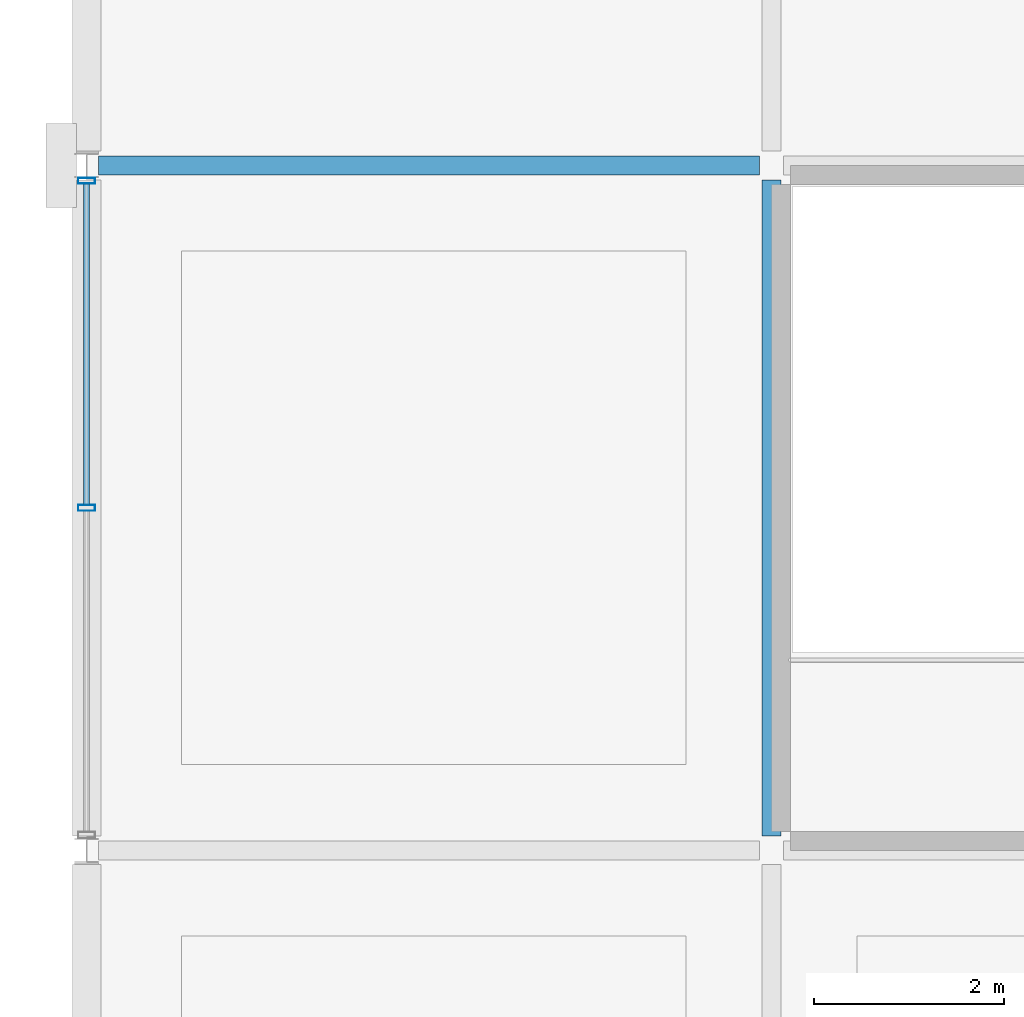
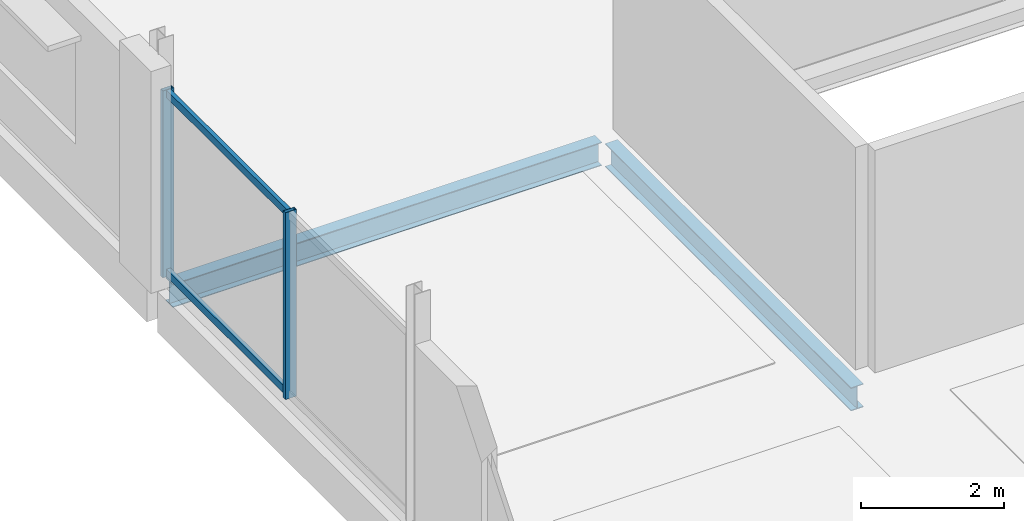
# One storey, part 15 of 107: 4 members, 2 beams, 1 element without a shape of its own.
"""IFC4 building model written with IfcOpenShell, lengths in metres."""

from ifc_helpers import new_model, si_unit, direction, frame, origin, origin_2d, place, context, subcontext, project, spatial, hollow_rectangle, i_section, extrude, material, layer, layer_set, material_profile, profile_set, type_object, element, aggregate, save


model = new_model("IFC4")

# Units and contexts
model_context = context("Model", 3, precision=1e-05, world=origin(), true_north=direction((0.0, 1.0)))
body_context = subcontext(model_context, "Body", "Model", "MODEL_VIEW")
ifc_project = project(units=[si_unit("LENGTHUNIT", "METRE"), si_unit("AREAUNIT", "SQUARE_METRE"), si_unit("VOLUMEUNIT", "CUBIC_METRE"), si_unit("PLANEANGLEUNIT", "RADIAN"), si_unit("MASSUNIT", "GRAM", prefix="KILO")], contexts=[model_context])

# Site, building, storey
site_placement = place(None, origin())
site = spatial("IfcSite", under=ifc_project, at=site_placement, CompositionType="ELEMENT")
building_placement = place(site_placement, origin())
building = spatial("IfcBuilding", under=site, at=building_placement, Name="Kangsadwip Square Police Headquarters", CompositionType="ELEMENT")
storey_placement = place(building_placement, frame((0.0, 0.0, 5.39990234375)))
storey = spatial("IfcBuildingStorey", under=building, at=storey_placement, Name="L01", CompositionType="ELEMENT", Elevation=5.39990234375)

# Curtain wall, members
ifc_material_1 = material(Name="Thermally broken anodised aluminium AW-6063-T6", Category="aluminium")
ifc_layer = layer(ifc_material_1, 0.159912109375)
ifc_layer_set = layer_set([ifc_layer], Name="Thermally broken anodised aluminium AW-6063-T6")
curtain_wall_type = type_object("IfcCurtainWallType", Name="UnitisedCw6944x3200", PredefinedType="NOTDEFINED", material=ifc_layer_set)
curtain_wall_placement = place(storey_placement, origin())
curtain_wall = element("IfcCurtainWall", 1, at=curtain_wall_placement, inside=storey, type_object=curtain_wall_type, Name="Curtain Wall CW-L01-0000-0073", PredefinedType="NOTDEFINED")
ifc_material_2 = material(Name="Thermally broken anodised aluminium AW-6063-T6", Category="aluminium")
ifc_material_profile_1 = material_profile(ifc_material_2, hollow_rectangle(XDim=0.06494140625, YDim=0.179931640625, WallThickness=0.00390625, at=origin_2d()), Name="CWM 180X65X4")
ifc_profile_set_1 = profile_set([ifc_material_profile_1], Name="Thermally broken anodised aluminium AW-6063-T6")
member_type_1 = type_object("IfcMemberType", Name="CwMullion160x65", PredefinedType="MULLION", material=ifc_profile_set_1)
member_1_placement = place(storey_placement, frame((0.0, 10.800048828125, 0.0), z_axis=(0.0, 0.0, 1.0), x_axis=(0.0, 1.0, 0.0)))
member_1 = element("IfcMember", 2, at=member_1_placement, type_object=member_type_1, Name="CW-27 mullion 2", PredefinedType="MULLION", context=body_context, shape_type="SweptSolid", body=[
    extrude(hollow_rectangle(XDim=0.06494140625, YDim=0.179931640625, WallThickness=0.00390625, at=origin_2d()), origin(), (0.0, 0.0, 1.0), 3.2001953125),
])
member_2_placement = place(storey_placement, frame((0.0, 14.239501953125, 0.0), z_axis=(0.0, 0.0, 1.0), x_axis=(0.0, 1.0, 0.0)))
member_2 = element("IfcMember", 3, at=member_2_placement, type_object=member_type_1, Name="CW-27 mullion 3", PredefinedType="MULLION", context=body_context, shape_type="SweptSolid", body=[
    extrude(hollow_rectangle(XDim=0.06494140625, YDim=0.179931640625, WallThickness=0.00390625, at=origin_2d()), origin(), (0.0, 0.0, 1.0), 3.2001953125),
])
ifc_material_3 = material(Name="Thermally broken anodised aluminium AW-6063-T6", Category="aluminium")
ifc_material_profile_2 = material_profile(ifc_material_3, hollow_rectangle(XDim=0.06494140625, YDim=0.1298828125, WallThickness=0.00390625, at=origin_2d()), Name="CWT 130X65X4")
ifc_profile_set_2 = profile_set([ifc_material_profile_2], Name="Thermally broken anodised aluminium AW-6063-T6")
member_type_2 = type_object("IfcMemberType", Name="CwTransom140x60", PredefinedType="USERDEFINED", material=ifc_profile_set_2)
member_3_placement = place(storey_placement, frame((0.0, 10.83251953125, 0.065185546875), z_axis=(0.0, 1.0, 0.0), x_axis=(-1.0, 0.0, 0.0)))
member_3 = element("IfcMember", 4, at=member_3_placement, type_object=member_type_2, Name="CW-27 transom 2.1", ObjectType="TRANSOM", PredefinedType="USERDEFINED", context=body_context, shape_type="SweptSolid", body=[
    extrude(hollow_rectangle(XDim=0.06494140625, YDim=0.1298828125, WallThickness=0.00390625, at=origin_2d()), origin(), (0.0, 0.0, 1.0), 3.37451171875),
])
member_4_placement = place(storey_placement, frame((0.0, 10.83251953125, 3.135009765625), z_axis=(0.0, 1.0, 0.0), x_axis=(-1.0, 0.0, 0.0)))
member_4 = element("IfcMember", 5, at=member_4_placement, type_object=member_type_2, Name="CW-27 transom 2.2", ObjectType="TRANSOM", PredefinedType="USERDEFINED", context=body_context, shape_type="SweptSolid", body=[
    extrude(hollow_rectangle(XDim=0.06494140625, YDim=0.1298828125, WallThickness=0.00390625, at=origin_2d()), origin(), (0.0, 0.0, 1.0), 3.37451171875),
])
aggregate(curtain_wall, [member_1, member_2, member_3, member_4])

# Beams
ifc_material_4 = material(Name="Structural steel IS 2062 E350 (Grade 350, 350 MPa)", Category="steel")
ifc_material_profile_3 = material_profile(ifc_material_4, i_section(OverallWidth=0.199951171875, OverallDepth=0.39990234375, WebThickness=0.008544921875, FlangeThickness=0.012939453125, at=origin_2d()), Name="ISWB 400")
ifc_profile_set_3 = profile_set([ifc_material_profile_3], Name="Structural steel IS 2062 E350 (Grade 350, 350 MPa)")
beam_type = type_object("IfcBeamType", Name="SteelBeamIswb400", PredefinedType="BEAM", material=ifc_profile_set_3)
beam_1_placement = place(storey_placement, frame((0.125, 14.39990234375, -0.43994140625), z_axis=(1.0, 0.0, 0.0), x_axis=(0.0, 1.0, 0.0)))
element("IfcBeam", 6, at=beam_1_placement, inside=storey, type_object=beam_type, Name="Beam BM-L01-X-00-02", PredefinedType="BEAM", context=body_context, shape_type="SweptSolid", body=[
    extrude(i_section(OverallWidth=0.199951171875, OverallDepth=0.39990234375, WebThickness=0.008544921875, FlangeThickness=0.012939453125, at=origin_2d()), origin(), (0.0, 0.0, 1.0), 6.949951171875),
])
beam_2_placement = place(storey_placement, frame((7.199951171875, 7.35009765625, -0.43994140625), z_axis=(0.0, 1.0, 0.0), x_axis=(-1.0, 0.0, 0.0)))
element("IfcBeam", 7, at=beam_2_placement, inside=storey, type_object=beam_type, Name="Beam BM-L01-Y-01-01", PredefinedType="BEAM", context=body_context, shape_type="SweptSolid", body=[
    extrude(i_section(OverallWidth=0.199951171875, OverallDepth=0.39990234375, WebThickness=0.008544921875, FlangeThickness=0.012939453125, at=origin_2d()), origin(), (0.0, 0.0, 1.0), 6.89990234375),
])

save(model, "model.ifc")
